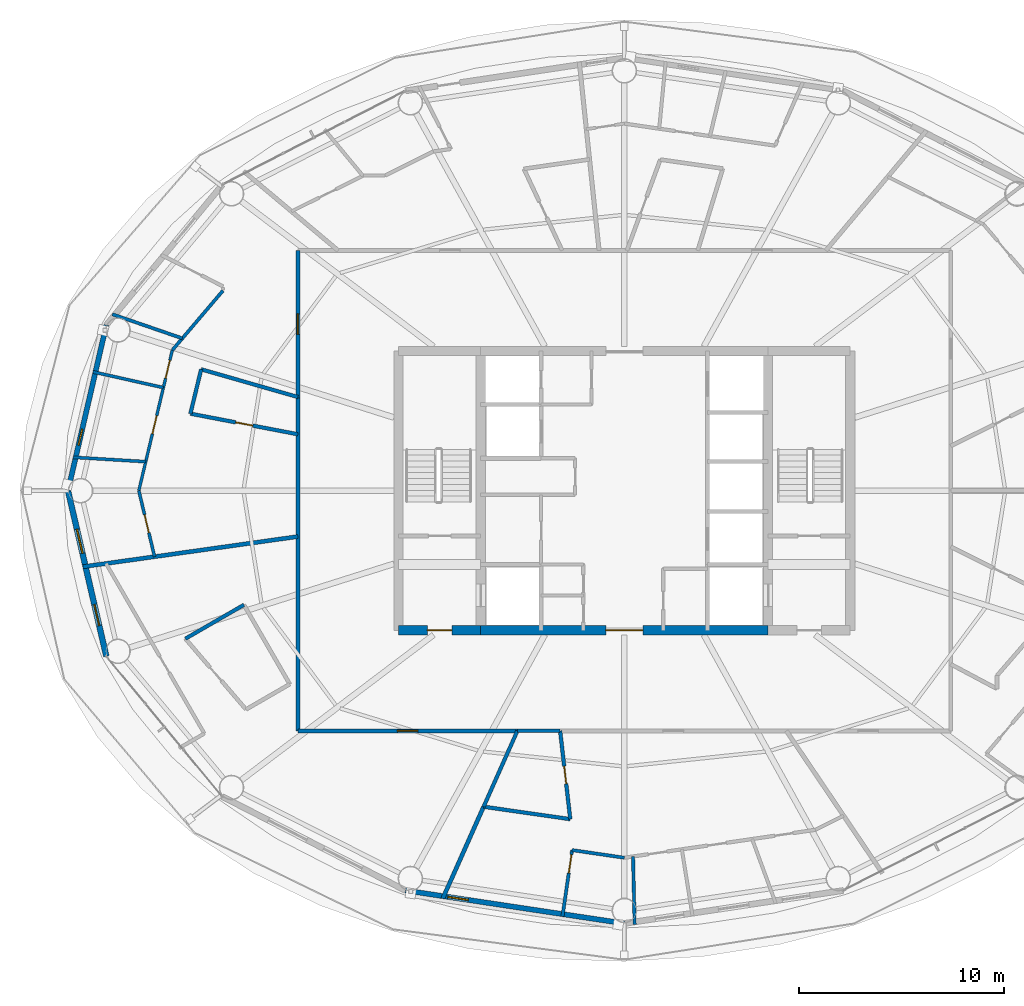
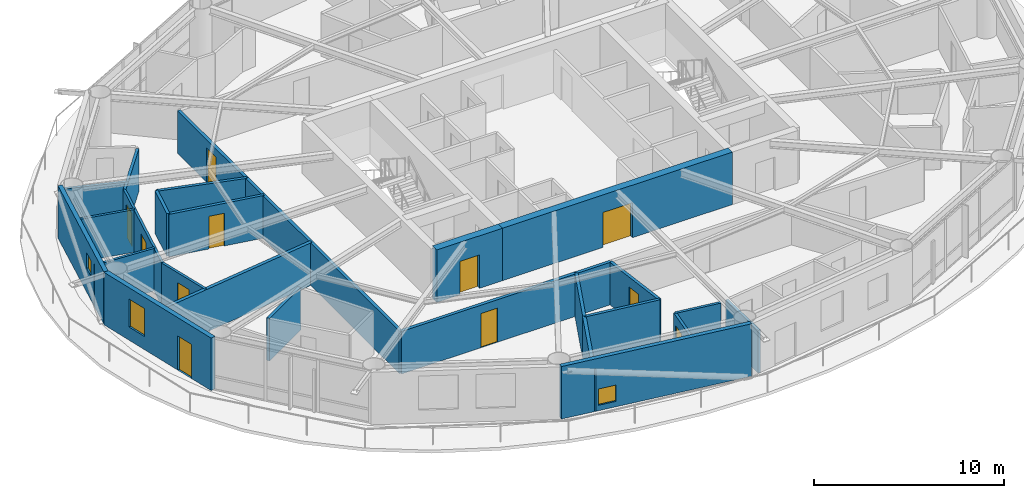
# One storey, part 20 of 28: 27 walls, 11 doors, 3 windows, 14 openings.
"""IFC4 building model written with IfcOpenShell, lengths in metres."""

from ifc_helpers import new_model, si_unit, direction, frame, frame_2d, origin, place, context, subcontext, project, spatial, rectangle, extrude, material, layer, layer_set, type_object, element, fill, save


model = new_model("IFC4")

# Units and contexts
model_context = context("Model", 3, precision=1e-05, world=origin(), true_north=direction((0.0, 1.0)))
body_context = subcontext(model_context, "Body", "Model", "MODEL_VIEW")
ifc_project = project(units=[si_unit("LENGTHUNIT", "METRE"), si_unit("AREAUNIT", "SQUARE_METRE"), si_unit("VOLUMEUNIT", "CUBIC_METRE"), si_unit("PLANEANGLEUNIT", "RADIAN"), si_unit("MASSUNIT", "GRAM", prefix="KILO")], contexts=[model_context])

# Site, building, storey
site_placement = place(None, origin())
site = spatial("IfcSite", under=ifc_project, at=site_placement, CompositionType="ELEMENT")
building_placement = place(site_placement, origin())
building = spatial("IfcBuilding", under=site, at=building_placement, Name="Sarneth Arch Tower", CompositionType="ELEMENT")
storey_placement = place(building_placement, frame((0.0, 0.0, 179.39990234375)))
storey = spatial("IfcBuildingStorey", under=building, at=storey_placement, Name="L45", CompositionType="ELEMENT", Elevation=179.39990234375)

# Wall, opening, door
ifc_material_1 = material(Name="Concrete C50/60", Category="concrete")
ifc_layer_1 = layer(ifc_material_1, 0.449951171875)
ifc_layer_set_1 = layer_set([ifc_layer_1], Name="Concrete C50/60")
wall_type_1 = type_object("IfcWallType", Name="WALL-CORE-450", PredefinedType="SHEAR", material=ifc_layer_set_1)
wall_1_placement = place(storey_placement, frame((37.0, 35.199951171875, 0.0), z_axis=(0.0, 0.0, 1.0), x_axis=(1.0, 0.0, 0.0)))
wall_1 = element("IfcWall", 1, at=wall_1_placement, inside=storey, type_object=wall_type_1, Name="L45 Core shear wall S-W", PredefinedType="SHEAR", context=body_context, shape_type="SweptSolid", body=[
    extrude(rectangle(XDim=4.0, YDim=0.449951171875, at=frame_2d((2.0, 0.0))), origin(), (0.0, 0.0, 1.0), 3.380126953125),
])
opening_1_placement = place(wall_1_placement, frame((1.39990234375, 0.0, 0.0)))
opening_1 = element("IfcOpeningElement", 2, at=opening_1_placement, cuts=wall_1, Name="Opening FD-02", PredefinedType="OPENING", context=body_context, shape_type="SweptSolid", body=[
    extrude(rectangle(XDim=1.199951171875, YDim=2.14990234375, at=frame_2d((0.60009765625, 1.074951171875))), frame((0.0, 0.23486328125, 0.0), z_axis=(0.0, -1.0, 0.0), x_axis=(1.0, 0.0, 0.0)), (0.0, 0.0, 1.0), 0.469970703125),
])
ifc_material_2 = material(Name="Galvanised Steel S275 fire door set", Category="steel")
door_type_1 = type_object("IfcDoorType", Name="DR-FD90-1200", OperationType="SINGLE_SWING_LEFT", PredefinedType="DOOR", material=ifc_material_2)
door_1_placement = place(opening_1_placement, origin())
door_1 = element("IfcDoor", 3, at=door_1_placement, inside=storey, type_object=door_type_1, Name="L45 Firefighting lobby 1 exit door", OperationType="SINGLE_SWING_LEFT", OverallHeight=2.14990234375, OverallWidth=1.199951171875, PredefinedType="DOOR", context=body_context, shape_type="SweptSolid", body=[
    extrude(rectangle(XDim=1.199951171875, YDim=2.14990234375, at=frame_2d((0.60009765625, 1.074951171875))), frame((0.0, 0.02490234375, 0.0), z_axis=(0.0, -1.0, 0.0), x_axis=(1.0, 0.0, 0.0)), (0.0, 0.0, 1.0), 0.050048828125),
])
fill(opening_1, door_1)

wall_2_placement = place(storey_placement, frame((41.0, 35.199951171875, 0.0), z_axis=(0.0, 0.0, 1.0), x_axis=(1.0, 0.0, 0.0)))
wall_2 = element("IfcWall", 4, at=wall_2_placement, inside=storey, type_object=wall_type_1, Name="L45 Core shear wall S-M", PredefinedType="SHEAR", context=body_context, shape_type="SweptSolid", body=[
    extrude(rectangle(XDim=14.0, YDim=0.449951171875, at=frame_2d((7.0, 0.0))), origin(), (0.0, 0.0, 1.0), 3.380126953125),
])
opening_2_placement = place(wall_2_placement, frame((6.10009765625, 0.0, 0.0)))
opening_2 = element("IfcOpeningElement", 5, at=opening_2_placement, cuts=wall_2, Name="Opening FD-01", PredefinedType="OPENING", context=body_context, shape_type="SweptSolid", body=[
    extrude(rectangle(XDim=1.800048828125, YDim=2.25, at=frame_2d((0.89990234375, 1.125))), frame((0.0, 0.23486328125, 0.0), z_axis=(0.0, -1.0, 0.0), x_axis=(1.0, 0.0, 0.0)), (0.0, 0.0, 1.0), 0.469970703125),
])
ifc_material_3 = material(Name="Galvanised Steel S275 fire door set", Category="steel")
door_type_2 = type_object("IfcDoorType", Name="DR-FD90-1800", OperationType="DOUBLE_DOOR_SINGLE_SWING", PredefinedType="DOOR", material=ifc_material_3)
door_2_placement = place(opening_2_placement, origin())
door_2 = element("IfcDoor", 6, at=door_2_placement, inside=storey, type_object=door_type_2, Name="L45 Central lift lobby south door", OperationType="DOUBLE_DOOR_SINGLE_SWING", OverallHeight=2.25, OverallWidth=1.800048828125, PredefinedType="DOOR", context=body_context, shape_type="SweptSolid", body=[
    extrude(rectangle(XDim=1.800048828125, YDim=2.25, at=frame_2d((0.89990234375, 1.125))), frame((0.0, 0.02490234375, 0.0), z_axis=(0.0, -1.0, 0.0), x_axis=(1.0, 0.0, 0.0)), (0.0, 0.0, 1.0), 0.050048828125),
])
fill(opening_2, door_2)

ifc_material_4 = material(Name="Double steel-stud corridor fire wall", Category="steel")
ifc_layer_2 = layer(ifc_material_4, 0.18994140625)
ifc_layer_set_2 = layer_set([ifc_layer_2], Name="Double steel-stud corridor fire wall")
wall_type_2 = type_object("IfcWallType", Name="WALL-CORR-190", PredefinedType="PARTITIONING", material=ifc_layer_set_2)
wall_3_placement = place(storey_placement, frame((32.10009765625, 30.300048828125, 0.0), z_axis=(0.0, 0.0, 1.0), x_axis=(1.0, 0.0, 0.0)))
wall_3 = element("IfcWall", 7, at=wall_3_placement, inside=storey, type_object=wall_type_2, Name="L45 Interior partition W-L45-TP-014", PredefinedType="PARTITIONING", context=body_context, shape_type="SweptSolid", body=[
    extrude(rectangle(XDim=10.690673828125, YDim=0.18994140625, at=frame_2d((5.34521484375, 0.0))), origin(), (0.0, 0.0, 1.0), 2.739990234375),
])
opening_3_placement = place(wall_3_placement, frame((4.845458984375, 0.0, 0.0)))
opening_3 = element("IfcOpeningElement", 8, at=opening_3_placement, cuts=wall_3, Name="Opening FD-08", PredefinedType="OPENING", context=body_context, shape_type="SweptSolid", body=[
    extrude(rectangle(XDim=1.0, YDim=2.199951171875, at=frame_2d((0.5, 1.10009765625))), frame((0.0, 0.10498046875, 0.0), z_axis=(0.0, -1.0, 0.0), x_axis=(1.0, 0.0, 0.0)), (0.0, 0.0, 1.0), 0.2099609375),
])
ifc_material_5 = material(Name="Hardwood timber acoustic fire door", Category="wood")
door_type_3 = type_object("IfcDoorType", Name="DR-FD60-1000", OperationType="SINGLE_SWING_LEFT", PredefinedType="DOOR", material=ifc_material_5)
door_3_placement = place(opening_3_placement, origin())
door_3 = element("IfcDoor", 9, at=door_3_placement, inside=storey, type_object=door_type_3, Name="L45 Interior door DR-L45-U5-ENT", OperationType="SINGLE_SWING_LEFT", OverallHeight=2.199951171875, OverallWidth=1.0, PredefinedType="DOOR", context=body_context, shape_type="SweptSolid", body=[
    extrude(rectangle(XDim=1.0, YDim=2.199951171875, at=frame_2d((0.5, 1.10009765625))), frame((0.0, 0.02490234375, 0.0), z_axis=(0.0, -1.0, 0.0), x_axis=(1.0, 0.0, 0.0)), (0.0, 0.0, 1.0), 0.050048828125),
])
fill(opening_3, door_3)

# Wall
wall_4_placement = place(storey_placement, frame((32.10009765625, 46.592529296875, 0.0), z_axis=(0.0, 0.0, 1.0), x_axis=(0.0, -1.0, 0.0)))
element("IfcWall", 10, at=wall_4_placement, inside=storey, type_object=wall_type_2, Name="L45 Interior partition W-L45-TP-013", PredefinedType="PARTITIONING", context=body_context, shape_type="SweptSolid", body=[
    extrude(rectangle(XDim=16.29248046875, YDim=0.18994140625, at=frame_2d((8.146240234375, 0.0))), origin(), (0.0, 0.0, 1.0), 2.739990234375),
])

# Wall, opening, door
wall_5_placement = place(storey_placement, frame((32.10009765625, 46.52587890625, 0.0), z_axis=(0.0, 0.0, 1.0), x_axis=(0.0, 1.0, 0.0)))
wall_5 = element("IfcWall", 11, at=wall_5_placement, inside=storey, type_object=wall_type_2, Name="L45 Interior partition W-L45-TP-010", PredefinedType="PARTITIONING", context=body_context, shape_type="SweptSolid", body=[
    extrude(rectangle(XDim=7.174072265625, YDim=0.18994140625, at=frame_2d((3.5869140625, 0.0))), origin(), (0.0, 0.0, 1.0), 2.739990234375),
])
opening_4_placement = place(wall_5_placement, frame((3.0869140625, 0.0, 0.0)))
opening_4 = element("IfcOpeningElement", 12, at=opening_4_placement, cuts=wall_5, Name="Opening FD-08", PredefinedType="OPENING", context=body_context, shape_type="SweptSolid", body=[
    extrude(rectangle(XDim=1.0, YDim=2.199951171875, at=frame_2d((0.5, 1.10009765625))), frame((0.0, 0.10498046875, 0.0), z_axis=(0.0, -1.0, 0.0), x_axis=(1.0, 0.0, 0.0)), (0.0, 0.0, 1.0), 0.2099609375),
])
door_4_placement = place(opening_4_placement, origin())
door_4 = element("IfcDoor", 13, at=door_4_placement, inside=storey, type_object=door_type_3, Name="L45 Interior door DR-L45-U4-ENT", OperationType="SINGLE_SWING_LEFT", OverallHeight=2.199951171875, OverallWidth=1.0, PredefinedType="DOOR", context=body_context, shape_type="SweptSolid", body=[
    extrude(rectangle(XDim=1.0, YDim=2.199951171875, at=frame_2d((0.5, 1.10009765625))), frame((0.0, 0.02490234375, 0.0), z_axis=(0.0, -1.0, 0.0), x_axis=(1.0, 0.0, 0.0)), (0.0, 0.0, 1.0), 0.050048828125),
])
fill(opening_4, door_4)

# Wall, opening, window
ifc_material_6 = material(Name="Extruded terracotta rainscreen on Concrete C40/50 backing", Category="masonry")
ifc_layer_3 = layer(ifc_material_6, 0.25)
ifc_layer_set_3 = layer_set([ifc_layer_3], Name="Extruded terracotta rainscreen on Concrete C40/50 backing")
wall_type_3 = type_object("IfcWallType", Name="WALL-EXT-SPAND-250", PredefinedType="SOLIDWALL", material=ifc_layer_set_3)
wall_6_placement = place(storey_placement, frame((22.767578125, 50.06689453125, 0.0), z_axis=(0.0, 0.0, 1.0), x_axis=(-0.225473184558, -0.974249374157, 0.0)))
wall_6 = element("IfcWall", 14, at=wall_6_placement, inside=storey, type_object=wall_type_3, Name="L45 Terracotta perimeter wall 08", PredefinedType="SOLIDWALL", context=body_context, shape_type="SweptSolid", body=[
    extrude(rectangle(XDim=8.280029296875, YDim=0.25, at=frame_2d((4.14013671875, 0.0))), origin(), (0.0, 0.0, 1.0), 3.380126953125),
])
opening_5_placement = place(wall_6_placement, frame((5.200439453125, 0.0, 1.5400390625)))
opening_5 = element("IfcOpeningElement", 15, at=opening_5_placement, cuts=wall_6, Name="Opening W-15", PredefinedType="OPENING", context=body_context, shape_type="SweptSolid", body=[
    extrude(rectangle(XDim=0.800048828125, YDim=1.0, at=frame_2d((0.39990234375, 0.5))), frame((0.0, 0.135009765625, 0.0), z_axis=(0.0, -1.0, 0.0), x_axis=(1.0, 0.0, 0.0)), (0.0, 0.0, 1.0), 0.27001953125),
])
ifc_material_7 = material(Name="Thermally broken Aluminium 6063-T6 and low-e laminated IGU", Category="aluminium")
window_type_1 = type_object("IfcWindowType", Name="WIN-TWR-800x1000", PartitioningType="SINGLE_PANEL", PredefinedType="WINDOW", material=ifc_material_7)
window_1_placement = place(opening_5_placement, origin())
window_1 = element("IfcWindow", 16, at=window_1_placement, inside=storey, type_object=window_type_1, Name="L45 Dwelling bedroom window 03", OverallHeight=1.0, OverallWidth=0.800048828125, PartitioningType="SINGLE_PANEL", PredefinedType="WINDOW", context=body_context, shape_type="SweptSolid", body=[
    extrude(rectangle(XDim=0.800048828125, YDim=1.0, at=frame_2d((0.39990234375, 0.5))), frame((0.0, 0.030029296875, 0.0), z_axis=(0.0, -1.0, 0.0), x_axis=(1.0, 0.0, 0.0)), (0.0, 0.0, 1.0), 0.06005859375),
])
fill(opening_5, window_1)

wall_7_placement = place(storey_placement, frame((37.337158203125, 22.524658203125, 0.0), z_axis=(0.0, 0.0, 1.0), x_axis=(0.988863993413, -0.148822049884, 0.0)))
wall_7 = element("IfcWall", 17, at=wall_7_placement, inside=storey, type_object=wall_type_3, Name="L45 Terracotta perimeter wall 12", PredefinedType="SOLIDWALL", context=body_context, shape_type="SweptSolid", body=[
    extrude(rectangle(XDim=10.782958984375, YDim=0.25, at=frame_2d((5.3916015625, 0.0))), origin(), (0.0, 0.0, 1.0), 3.380126953125),
])
opening_6_placement = place(wall_7_placement, frame((2.093994140625, 0.0, 0.35009765625)))
opening_6 = element("IfcOpeningElement", 18, at=opening_6_placement, cuts=wall_7, Name="Opening W-14", PredefinedType="OPENING", context=body_context, shape_type="SweptSolid", body=[
    extrude(rectangle(XDim=1.0, YDim=1.050048828125, at=frame_2d((0.5, 0.52490234375))), frame((0.0, 0.135009765625, 0.0), z_axis=(0.0, -1.0, 0.0), x_axis=(1.0, 0.0, 0.0)), (0.0, 0.0, 1.0), 0.27001953125),
])
ifc_material_8 = material(Name="Thermally broken Aluminium 6063-T6 and low-e laminated IGU", Category="aluminium")
window_type_2 = type_object("IfcWindowType", Name="WIN-TWR-1000x1050", PartitioningType="SINGLE_PANEL", PredefinedType="WINDOW", material=ifc_material_8)
window_2_placement = place(opening_6_placement, origin())
window_2 = element("IfcWindow", 19, at=window_2_placement, inside=storey, type_object=window_type_2, Name="L45 Dwelling bedroom window 04", OverallHeight=1.050048828125, OverallWidth=1.0, PartitioningType="SINGLE_PANEL", PredefinedType="WINDOW", context=body_context, shape_type="SweptSolid", body=[
    extrude(rectangle(XDim=1.0, YDim=1.050048828125, at=frame_2d((0.5, 0.52490234375))), frame((0.0, 0.030029296875, 0.0), z_axis=(0.0, -1.0, 0.0), x_axis=(1.0, 0.0, 0.0)), (0.0, 0.0, 1.0), 0.06005859375),
])
fill(opening_6, window_2)

# Wall, openings, door, window
ifc_material_9 = material(Name="Extruded terracotta rainscreen on Concrete C40/50 backing", Category="masonry")
ifc_layer_4 = layer(ifc_material_9, 0.280029296875)
ifc_layer_set_4 = layer_set([ifc_layer_4], Name="Extruded terracotta rainscreen on Concrete C40/50 backing")
wall_type_4 = type_object("IfcWallType", Name="WALL-EXT-TERRA-280", PredefinedType="SOLIDWALL", material=ifc_layer_set_4)
wall_8_placement = place(storey_placement, frame((20.900634765625, 42.0, 0.0), z_axis=(0.0, 0.0, 1.0), x_axis=(0.225473184558, -0.974249374157, 0.0)))
wall_8 = element("IfcWall", 20, at=wall_8_placement, inside=storey, type_object=wall_type_4, Name="L45 Terracotta perimeter wall 09", PredefinedType="SOLIDWALL", context=body_context, shape_type="SweptSolid", body=[
    extrude(rectangle(XDim=8.280029296875, YDim=0.280029296875, at=frame_2d((4.14013671875, 0.0))), origin(), (0.0, 0.0, 1.0), 3.380126953125),
])
opening_7_placement = place(wall_8_placement, frame((1.931884765625, 0.0, 0.85009765625)))
opening_7 = element("IfcOpeningElement", 21, at=opening_7_placement, cuts=wall_8, Name="Opening W-09", PredefinedType="OPENING", context=body_context, shape_type="SweptSolid", body=[
    extrude(rectangle(XDim=1.199951171875, YDim=1.800048828125, at=frame_2d((0.60009765625, 0.89990234375))), frame((0.0, 0.14990234375, 0.0), z_axis=(0.0, -1.0, 0.0), x_axis=(1.0, 0.0, 0.0)), (0.0, 0.0, 1.0), 0.300048828125),
])
opening_8_placement = place(wall_8_placement, frame((5.69384765625, 0.0, 0.0)))
opening_8 = element("IfcOpeningElement", 22, at=opening_8_placement, cuts=wall_8, Name="Opening BD-4", PredefinedType="OPENING", context=body_context, shape_type="SweptSolid", body=[
    extrude(rectangle(XDim=1.050048828125, YDim=2.199951171875, at=frame_2d((0.52490234375, 1.10009765625))), frame((0.0, 0.14990234375, 0.0), z_axis=(0.0, -1.0, 0.0), x_axis=(1.0, 0.0, 0.0)), (0.0, 0.0, 1.0), 0.300048828125),
])
ifc_material_10 = material(Name="Thermally broken Aluminium 6063-T6 and laminated safety glass", Category="aluminium")
door_type_4 = type_object("IfcDoorType", Name="DR-BALC-GLZ-1050", OperationType="SINGLE_SWING_RIGHT", PredefinedType="DOOR", material=ifc_material_10)
door_5_placement = place(opening_8_placement, origin())
door_5 = element("IfcDoor", 23, at=door_5_placement, inside=storey, type_object=door_type_4, Name="L45 Balcony glazed door 09", OperationType="SINGLE_SWING_RIGHT", OverallHeight=2.199951171875, OverallWidth=1.050048828125, PredefinedType="DOOR", context=body_context, shape_type="SweptSolid", body=[
    extrude(rectangle(XDim=1.050048828125, YDim=2.199951171875, at=frame_2d((0.52490234375, 1.10009765625))), frame((0.0, 0.02490234375, 0.0), z_axis=(0.0, -1.0, 0.0), x_axis=(1.0, 0.0, 0.0)), (0.0, 0.0, 1.0), 0.050048828125),
])
fill(opening_8, door_5)
ifc_material_11 = material(Name="Thermally broken Aluminium 6063-T6 and low-e laminated IGU", Category="aluminium")
window_type_3 = type_object("IfcWindowType", Name="WIN-TWR-1200x1800", PartitioningType="SINGLE_PANEL", PredefinedType="WINDOW", material=ifc_material_11)
window_3_placement = place(opening_7_placement, origin())
window_3 = element("IfcWindow", 24, at=window_3_placement, inside=storey, type_object=window_type_3, Name="L45 Exterior window 09A", OverallHeight=1.800048828125, OverallWidth=1.199951171875, PartitioningType="SINGLE_PANEL", PredefinedType="WINDOW", context=body_context, shape_type="SweptSolid", body=[
    extrude(rectangle(XDim=1.199951171875, YDim=1.800048828125, at=frame_2d((0.60009765625, 0.89990234375))), frame((0.0, 0.030029296875, 0.0), z_axis=(0.0, -1.0, 0.0), x_axis=(1.0, 0.0, 0.0)), (0.0, 0.0, 1.0), 0.06005859375),
])
fill(opening_7, window_3)

# Wall, openings, doors
ifc_material_12 = material(Name="Apartment internal stud partition", Category="gypsum")
ifc_layer_5 = layer(ifc_material_12, 0.139892578125)
ifc_layer_set_5 = layer_set([ifc_layer_5], Name="Apartment internal stud partition")
wall_type_5 = type_object("IfcWallType", Name="WALL-PART-140", PredefinedType="PARTITIONING", material=ifc_layer_set_5)
wall_9_placement = place(storey_placement, frame((24.351318359375, 42.0, 0.0), z_axis=(0.0, 0.0, 1.0), x_axis=(0.231658068135, 0.972797275627, 0.0)))
wall_9 = element("IfcWall", 25, at=wall_9_placement, inside=storey, type_object=wall_type_5, Name="L45 Interior partition W-L45-TP-068", PredefinedType="PARTITIONING", context=body_context, shape_type="SweptSolid", body=[
    extrude(rectangle(XDim=7.03369140625, YDim=0.139892578125, at=frame_2d((3.516845703125, 0.0))), origin(), (0.0, 0.0, 1.0), 2.739990234375),
])
opening_9_placement = place(wall_9_placement, frame((2.85498046875, 0.0, 0.0)))
opening_9 = element("IfcOpeningElement", 26, at=opening_9_placement, cuts=wall_9, Name="Opening ID-01", PredefinedType="OPENING", context=body_context, shape_type="SweptSolid", body=[
    extrude(rectangle(XDim=0.89990234375, YDim=2.10009765625, at=frame_2d((0.449951171875, 1.050048828125))), frame((0.0, 0.079833984375, 0.0), z_axis=(0.0, -1.0, 0.0), x_axis=(1.0, 0.0, 0.0)), (0.0, 0.0, 1.0), 0.159912109375),
])
opening_10_placement = place(wall_9_placement, frame((5.63037109375, 0.0, 0.0)))
opening_10 = element("IfcOpeningElement", 27, at=opening_10_placement, cuts=wall_9, Name="Opening ID-01", PredefinedType="OPENING", context=body_context, shape_type="SweptSolid", body=[
    extrude(rectangle(XDim=0.89990234375, YDim=2.10009765625, at=frame_2d((0.449951171875, 1.050048828125))), frame((0.0, 0.079833984375, 0.0), z_axis=(0.0, -1.0, 0.0), x_axis=(1.0, 0.0, 0.0)), (0.0, 0.0, 1.0), 0.159912109375),
])
ifc_material_13 = material(Name="Engineered hardwood flush door", Category="wood")
door_type_5 = type_object("IfcDoorType", Name="DR-INT-900", OperationType="SINGLE_SWING_LEFT", PredefinedType="DOOR", material=ifc_material_13)
door_6_placement = place(opening_9_placement, origin())
door_6 = element("IfcDoor", 28, at=door_6_placement, inside=storey, type_object=door_type_5, Name="L45 Interior door DR-L45-U4-BED1", OperationType="SINGLE_SWING_RIGHT", OverallHeight=2.10009765625, OverallWidth=0.89990234375, PredefinedType="DOOR", context=body_context, shape_type="SweptSolid", body=[
    extrude(rectangle(XDim=0.89990234375, YDim=2.10009765625, at=frame_2d((0.449951171875, 1.050048828125))), frame((0.0, 0.02490234375, 0.0), z_axis=(0.0, -1.0, 0.0), x_axis=(1.0, 0.0, 0.0)), (0.0, 0.0, 1.0), 0.050048828125),
])
fill(opening_9, door_6)
door_7_placement = place(opening_10_placement, origin())
door_7 = element("IfcDoor", 29, at=door_7_placement, inside=storey, type_object=door_type_5, Name="L45 Interior door DR-L45-U4-STD", OperationType="SINGLE_SWING_RIGHT", OverallHeight=2.10009765625, OverallWidth=0.89990234375, PredefinedType="DOOR", context=body_context, shape_type="SweptSolid", body=[
    extrude(rectangle(XDim=0.89990234375, YDim=2.10009765625, at=frame_2d((0.449951171875, 1.050048828125))), frame((0.0, 0.02490234375, 0.0), z_axis=(0.0, -1.0, 0.0), x_axis=(1.0, 0.0, 0.0)), (0.0, 0.0, 1.0), 0.050048828125),
])
fill(opening_10, door_7)

# Walls
ifc_material_14 = material(Name="Acoustic gypsum stud partition", Category="gypsum")
ifc_layer_6 = layer(ifc_material_14, 0.14990234375)
ifc_layer_set_6 = layer_set([ifc_layer_6], Name="Acoustic gypsum stud partition")
wall_type_6 = type_object("IfcWallType", Name="WALL-PART-150", PredefinedType="PARTITIONING", material=ifc_layer_set_6)
wall_10_placement = place(storey_placement, frame((21.155517578125, 43.625732421875, 0.0), z_axis=(0.0, 0.0, 1.0), x_axis=(0.998171777701, -0.060440898408, 0.0)))
element("IfcWall", 30, at=wall_10_placement, inside=storey, type_object=wall_type_6, Name="L45 Interior partition W-L45-TP-074", PredefinedType="PARTITIONING", context=body_context, shape_type="SweptSolid", body=[
    extrude(rectangle(XDim=3.538330078125, YDim=0.14990234375, at=frame_2d((1.76904296875, 0.0))), origin(), (0.0, 0.0, 1.0), 2.739990234375),
])
wall_11_placement = place(storey_placement, frame((25.54638671875, 47.018798828125, 0.0), z_axis=(0.0, 0.0, 1.0), x_axis=(-0.975921546644, 0.218121834754, 0.0)))
element("IfcWall", 31, at=wall_11_placement, inside=storey, type_object=wall_type_6, Name="L45 Interior partition W-L45-TP-073", PredefinedType="PARTITIONING", context=body_context, shape_type="SweptSolid", body=[
    extrude(rectangle(XDim=3.5146484375, YDim=0.14990234375, at=frame_2d((1.75732421875, 0.0))), origin(), (0.0, 0.0, 1.0), 2.739990234375),
])

# Wall, opening, door
wall_12_placement = place(storey_placement, frame((24.351318359375, 42.0, 0.0), z_axis=(0.0, 0.0, 1.0), x_axis=(0.231590575549, -0.972813345569, 0.0)))
wall_12 = element("IfcWall", 32, at=wall_12_placement, inside=storey, type_object=wall_type_6, Name="L45 Interior partition W-L45-TP-070", PredefinedType="PARTITIONING", context=body_context, shape_type="SweptSolid", body=[
    extrude(rectangle(XDim=3.305908203125, YDim=0.14990234375, at=frame_2d((1.65283203125, 0.0))), origin(), (0.0, 0.0, 1.0), 2.739990234375),
])
opening_11_placement = place(wall_12_placement, frame((1.202880859375, 0.0, 0.0)))
opening_11 = element("IfcOpeningElement", 33, at=opening_11_placement, cuts=wall_12, Name="Opening ID-01", PredefinedType="OPENING", context=body_context, shape_type="SweptSolid", body=[
    extrude(rectangle(XDim=0.89990234375, YDim=2.10009765625, at=frame_2d((0.449951171875, 1.050048828125))), frame((0.0, 0.0849609375, 0.0), z_axis=(0.0, -1.0, 0.0), x_axis=(1.0, 0.0, 0.0)), (0.0, 0.0, 1.0), 0.169921875),
])
door_8_placement = place(opening_11_placement, origin())
door_8 = element("IfcDoor", 34, at=door_8_placement, inside=storey, type_object=door_type_5, Name="L45 Interior door DR-L45-U4-BED2", OperationType="SINGLE_SWING_LEFT", OverallHeight=2.10009765625, OverallWidth=0.89990234375, PredefinedType="DOOR", context=body_context, shape_type="SweptSolid", body=[
    extrude(rectangle(XDim=0.89990234375, YDim=2.10009765625, at=frame_2d((0.449951171875, 1.050048828125))), frame((0.0, 0.02490234375, 0.0), z_axis=(0.0, -1.0, 0.0), x_axis=(1.0, 0.0, 0.0)), (0.0, 0.0, 1.0), 0.050048828125),
])
fill(opening_11, door_8)

# Walls
ifc_material_15 = material(Name="Kitchen wet service chase wall", Category="gypsum")
ifc_layer_7 = layer(ifc_material_15, 0.159912109375)
ifc_layer_set_7 = layer_set([ifc_layer_7], Name="Kitchen wet service chase wall")
wall_type_7 = type_object("IfcWallType", Name="WALL-PLUMB-160", PredefinedType="PLUMBINGWALL", material=ifc_layer_set_7)
wall_13_placement = place(storey_placement, frame((26.470703125, 49.418212890625, 0.0), z_axis=(0.0, 0.0, 1.0), x_axis=(-0.945442677411, 0.325788495392, 0.0)))
element("IfcWall", 35, at=wall_13_placement, inside=storey, type_object=wall_type_7, Name="L45 Interior partition W-L45-TP-072", PredefinedType="PLUMBINGWALL", context=body_context, shape_type="SweptSolid", body=[
    extrude(rectangle(XDim=3.60986328125, YDim=0.159912109375, at=frame_2d((1.804931640625, 0.0))), origin(), (0.0, 0.0, 1.0), 2.739990234375),
])
wall_14_placement = place(storey_placement, frame((48.423095703125, 24.181884765625, 0.0), z_axis=(0.0, 0.0, 1.0), x_axis=(0.023765895275, -0.999717551222, 0.0)))
element("IfcWall", 36, at=wall_14_placement, inside=storey, type_object=wall_type_7, Name="L45 Interior partition W-L45-TP-095", PredefinedType="PLUMBINGWALL", context=body_context, shape_type="SweptSolid", body=[
    extrude(rectangle(XDim=3.307861328125, YDim=0.159912109375, at=frame_2d((1.65380859375, 0.0))), origin(), (0.0, 0.0, 1.0), 2.739990234375),
])

# Wall, opening, door
wall_15_placement = place(storey_placement, frame((44.9853515625, 21.252197265625, 0.0), z_axis=(0.0, 0.0, 1.0), x_axis=(0.14376989574, 0.989611144379, 0.0)))
wall_15 = element("IfcWall", 37, at=wall_15_placement, inside=storey, type_object=wall_type_7, Name="L45 Interior partition W-L45-TP-085", PredefinedType="PLUMBINGWALL", context=body_context, shape_type="SweptSolid", body=[
    extrude(rectangle(XDim=3.27392578125, YDim=0.159912109375, at=frame_2d((1.636962890625, 0.0))), origin(), (0.0, 0.0, 1.0), 2.739990234375),
])
opening_12_placement = place(wall_15_placement, frame((2.14697265625, 0.0, 0.0)))
opening_12 = element("IfcOpeningElement", 38, at=opening_12_placement, cuts=wall_15, Name="Opening ID-01", PredefinedType="OPENING", context=body_context, shape_type="SweptSolid", body=[
    extrude(rectangle(XDim=0.89990234375, YDim=2.10009765625, at=frame_2d((0.449951171875, 1.050048828125))), frame((0.0, 0.08984375, 0.0), z_axis=(0.0, -1.0, 0.0), x_axis=(1.0, 0.0, 0.0)), (0.0, 0.0, 1.0), 0.179931640625),
])
door_9_placement = place(opening_12_placement, origin())
door_9 = element("IfcDoor", 39, at=door_9_placement, inside=storey, type_object=door_type_5, Name="L45 Interior door DR-L45-U6-KIT", OperationType="SINGLE_SWING_LEFT", OverallHeight=2.10009765625, OverallWidth=0.89990234375, PredefinedType="DOOR", context=body_context, shape_type="SweptSolid", body=[
    extrude(rectangle(XDim=0.89990234375, YDim=2.10009765625, at=frame_2d((0.449951171875, 1.050048828125))), frame((0.0, 0.02490234375, 0.0), z_axis=(0.0, -1.0, 0.0), x_axis=(1.0, 0.0, 0.0)), (0.0, 0.0, 1.0), 0.050048828125),
])
fill(opening_12, door_9)

# Walls
wall_16_placement = place(storey_placement, frame((25.980712890625, 48.84228515625, 0.0), z_axis=(0.0, 0.0, 1.0), x_axis=(0.648022171798, 0.761621470849, 0.0)))
element("IfcWall", 40, at=wall_16_placement, inside=storey, type_object=wall_type_7, Name="L45 Interior partition W-L45-TP-062", PredefinedType="PLUMBINGWALL", context=body_context, shape_type="SweptSolid", body=[
    extrude(rectangle(XDim=3.810302734375, YDim=0.159912109375, at=frame_2d((1.9052734375, 0.0))), origin(), (0.0, 0.0, 1.0), 2.739990234375),
])
wall_17_placement = place(storey_placement, frame((45.4560546875, 24.4921875, 0.0), z_axis=(0.0, 0.0, 1.0), x_axis=(0.989473006689, -0.144717549155, 0.0)))
element("IfcWall", 41, at=wall_17_placement, inside=storey, type_object=wall_type_7, Name="L45 Interior partition W-L45-TP-086", PredefinedType="PLUMBINGWALL", context=body_context, shape_type="SweptSolid", body=[
    extrude(rectangle(XDim=2.571044921875, YDim=0.159912109375, at=frame_2d((1.28564453125, 0.0))), origin(), (0.0, 0.0, 1.0), 2.739990234375),
])

# Wall, opening, door
ifc_material_16 = material(Name="Moisture-resistant plumbing chase wall", Category="gypsum")
ifc_layer_8 = layer(ifc_material_16, 0.179931640625)
ifc_layer_set_8 = layer_set([ifc_layer_8], Name="Moisture-resistant plumbing chase wall")
wall_type_8 = type_object("IfcWallType", Name="WALL-PLUMB-180", PredefinedType="PLUMBINGWALL", material=ifc_layer_set_8)
wall_18_placement = place(storey_placement, frame((32.10009765625, 44.746337890625, 0.0), z_axis=(0.0, 0.0, 1.0), x_axis=(-0.982104947805, 0.188334467098, 0.0)))
wall_18 = element("IfcWall", 42, at=wall_18_placement, inside=storey, type_object=wall_type_8, Name="L45 Interior partition W-L45-TP-065", PredefinedType="PLUMBINGWALL", context=body_context, shape_type="SweptSolid", body=[
    extrude(rectangle(XDim=5.331787109375, YDim=0.179931640625, at=frame_2d((2.666015625, 0.0))), origin(), (0.0, 0.0, 1.0), 2.739990234375),
])
opening_13_placement = place(wall_18_placement, frame((2.24072265625, 0.0, 0.0)))
opening_13 = element("IfcOpeningElement", 43, at=opening_13_placement, cuts=wall_18, Name="Opening ID-02", PredefinedType="OPENING", context=body_context, shape_type="SweptSolid", body=[
    extrude(rectangle(XDim=0.85009765625, YDim=2.10009765625, at=frame_2d((0.425048828125, 1.050048828125))), frame((0.0, 0.099853515625, 0.0), z_axis=(0.0, -1.0, 0.0), x_axis=(1.0, 0.0, 0.0)), (0.0, 0.0, 1.0), 0.199951171875),
])
ifc_material_17 = material(Name="Moisture-resistant bathroom timber door", Category="wood")
door_type_6 = type_object("IfcDoorType", Name="DR-INT-850", OperationType="SINGLE_SWING_RIGHT", PredefinedType="DOOR", material=ifc_material_17)
door_10_placement = place(opening_13_placement, origin())
door_10 = element("IfcDoor", 44, at=door_10_placement, inside=storey, type_object=door_type_6, Name="L45 Interior door DR-L45-U4-BATH", OperationType="SINGLE_SWING_LEFT", OverallHeight=2.10009765625, OverallWidth=0.85009765625, PredefinedType="DOOR", context=body_context, shape_type="SweptSolid", body=[
    extrude(rectangle(XDim=0.85009765625, YDim=2.10009765625, at=frame_2d((0.425048828125, 1.050048828125))), frame((0.0, 0.02490234375, 0.0), z_axis=(0.0, -1.0, 0.0), x_axis=(1.0, 0.0, 0.0)), (0.0, 0.0, 1.0), 0.050048828125),
])
fill(opening_13, door_10)

# Wall
wall_19_placement = place(storey_placement, frame((27.38720703125, 47.91064453125, 0.0), z_axis=(0.0, 0.0, 1.0), x_axis=(0.961266088446, -0.27562203686, 0.0)))
element("IfcWall", 45, at=wall_19_placement, inside=storey, type_object=wall_type_8, Name="L45 Interior partition W-L45-TP-067", PredefinedType="PLUMBINGWALL", context=body_context, shape_type="SweptSolid", body=[
    extrude(rectangle(XDim=4.90283203125, YDim=0.179931640625, at=frame_2d((2.451416015625, 0.0))), origin(), (0.0, 0.0, 1.0), 2.739990234375),
])

# Wall, opening, door
wall_20_placement = place(storey_placement, frame((44.872802734375, 30.300048828125, 0.0), z_axis=(0.0, 0.0, 1.0), x_axis=(0.11390281129, -0.993491897088, 0.0)))
wall_20 = element("IfcWall", 46, at=wall_20_placement, inside=storey, type_object=wall_type_8, Name="L45 Interior partition W-L45-TP-088", PredefinedType="PLUMBINGWALL", context=body_context, shape_type="SweptSolid", body=[
    extrude(rectangle(XDim=4.32958984375, YDim=0.179931640625, at=frame_2d((2.164794921875, 0.0))), origin(), (0.0, 0.0, 1.0), 2.739990234375),
])
opening_14_placement = place(wall_20_placement, frame((1.73974609375, 0.0, 0.0)))
opening_14 = element("IfcOpeningElement", 47, at=opening_14_placement, cuts=wall_20, Name="Opening ID-02", PredefinedType="OPENING", context=body_context, shape_type="SweptSolid", body=[
    extrude(rectangle(XDim=0.85009765625, YDim=2.10009765625, at=frame_2d((0.425048828125, 1.050048828125))), frame((0.0, 0.099853515625, 0.0), z_axis=(0.0, -1.0, 0.0), x_axis=(1.0, 0.0, 0.0)), (0.0, 0.0, 1.0), 0.199951171875),
])
door_11_placement = place(opening_14_placement, origin())
door_11 = element("IfcDoor", 48, at=door_11_placement, inside=storey, type_object=door_type_6, Name="L45 Interior door DR-L45-U6-BATH", OperationType="SINGLE_SWING_RIGHT", OverallHeight=2.10009765625, OverallWidth=0.85009765625, PredefinedType="DOOR", context=body_context, shape_type="SweptSolid", body=[
    extrude(rectangle(XDim=0.85009765625, YDim=2.10009765625, at=frame_2d((0.425048828125, 1.050048828125))), frame((0.0, 0.02490234375, 0.0), z_axis=(0.0, -1.0, 0.0), x_axis=(1.0, 0.0, 0.0)), (0.0, 0.0, 1.0), 0.050048828125),
])
fill(opening_14, door_11)

# Walls
wall_21_placement = place(storey_placement, frame((45.365966796875, 25.99853515625, 0.0), z_axis=(0.0, 0.0, 1.0), x_axis=(-0.98982427769, 0.14229511339, 0.0)))
element("IfcWall", 49, at=wall_21_placement, inside=storey, type_object=wall_type_8, Name="L45 Interior partition W-L45-TP-089", PredefinedType="PLUMBINGWALL", context=body_context, shape_type="SweptSolid", body=[
    extrude(rectangle(XDim=4.263671875, YDim=0.179931640625, at=frame_2d((2.1318359375, 0.0))), origin(), (0.0, 0.0, 1.0), 2.739990234375),
])
wall_22_placement = place(storey_placement, frame((41.145751953125, 26.605224609375, 0.0), z_axis=(0.0, 0.0, 1.0), x_axis=(0.406732062562, 0.913547497005, 0.0)))
element("IfcWall", 50, at=wall_22_placement, inside=storey, type_object=wall_type_8, Name="L45 Interior partition W-L45-TP-084", PredefinedType="PLUMBINGWALL", context=body_context, shape_type="SweptSolid", body=[
    extrude(rectangle(XDim=4.04443359375, YDim=0.179931640625, at=frame_2d((2.022216796875, 0.0))), origin(), (0.0, 0.0, 1.0), 2.739990234375),
])
wall_23_placement = place(storey_placement, frame((29.469482421875, 36.438232421875, 0.0), z_axis=(0.0, 0.0, 1.0), x_axis=(-0.86566653326, -0.500621067469, 0.0)))
element("IfcWall", 51, at=wall_23_placement, inside=storey, type_object=wall_type_8, Name="L45 Interior partition W-L45-TP-079", PredefinedType="PLUMBINGWALL", context=body_context, shape_type="SweptSolid", body=[
    extrude(rectangle(XDim=3.291748046875, YDim=0.179931640625, at=frame_2d((1.64599609375, 0.0))), origin(), (0.0, 0.0, 1.0), 2.739990234375),
])
wall_24_placement = place(storey_placement, frame((26.86376953125, 45.75048828125, 0.0), z_axis=(0.0, 0.0, 1.0), x_axis=(0.235499423966, 0.971874488456, 0.0)))
element("IfcWall", 52, at=wall_24_placement, inside=storey, type_object=wall_type_8, Name="L45 Interior partition W-L45-TP-066", PredefinedType="PLUMBINGWALL", context=body_context, shape_type="SweptSolid", body=[
    extrude(rectangle(XDim=2.22265625, YDim=0.179931640625, at=frame_2d((1.111328125, 0.0))), origin(), (0.0, 0.0, 1.0), 2.739990234375),
])
wall_25_placement = place(storey_placement, frame((42.790771484375, 30.300048828125, 0.0), z_axis=(0.0, 0.0, 1.0), x_axis=(1.0, 0.0, 0.0)))
element("IfcWall", 53, at=wall_25_placement, inside=storey, type_object=wall_type_8, Name="L45 Interior partition W-L45-TP-016", PredefinedType="PLUMBINGWALL", context=body_context, shape_type="SweptSolid", body=[
    extrude(rectangle(XDim=2.08203125, YDim=0.179931640625, at=frame_2d((1.041015625, 0.0))), origin(), (0.0, 0.0, 1.0), 2.739990234375),
])
ifc_material_18 = material(Name="Double steel-stud acoustic drywall", Category="steel")
ifc_layer_9 = layer(ifc_material_18, 0.199951171875)
ifc_layer_set_9 = layer_set([ifc_layer_9], Name="Double steel-stud acoustic drywall")
wall_type_9 = type_object("IfcWallType", Name="WALL-UNIT-200", PredefinedType="PARTITIONING", material=ifc_layer_set_9)
wall_26_placement = place(storey_placement, frame((21.635498046875, 38.294677734375, 0.0), z_axis=(0.0, 0.0, 1.0), x_axis=(0.990268074466, 0.139173060229, 0.0)))
element("IfcWall", 54, at=wall_26_placement, inside=storey, type_object=wall_type_9, Name="L45 Interior partition W-L45-TP-071", PredefinedType="PARTITIONING", context=body_context, shape_type="SweptSolid", body=[
    extrude(rectangle(XDim=10.5673828125, YDim=0.199951171875, at=frame_2d((5.28369140625, 0.0))), origin(), (0.0, 0.0, 1.0), 2.739990234375),
])
wall_27_placement = place(storey_placement, frame((39.155029296875, 22.134033203125, 0.0), z_axis=(0.0, 0.0, 1.0), x_axis=(0.406740050792, 0.913543940422, 0.0)))
element("IfcWall", 55, at=wall_27_placement, inside=storey, type_object=wall_type_9, Name="L45 Interior partition W-L45-TP-083", PredefinedType="PARTITIONING", context=body_context, shape_type="SweptSolid", body=[
    extrude(rectangle(XDim=4.894287109375, YDim=0.199951171875, at=frame_2d((2.447265625, 0.0))), origin(), (0.0, 0.0, 1.0), 2.739990234375),
])

save(model, "model.ifc")
